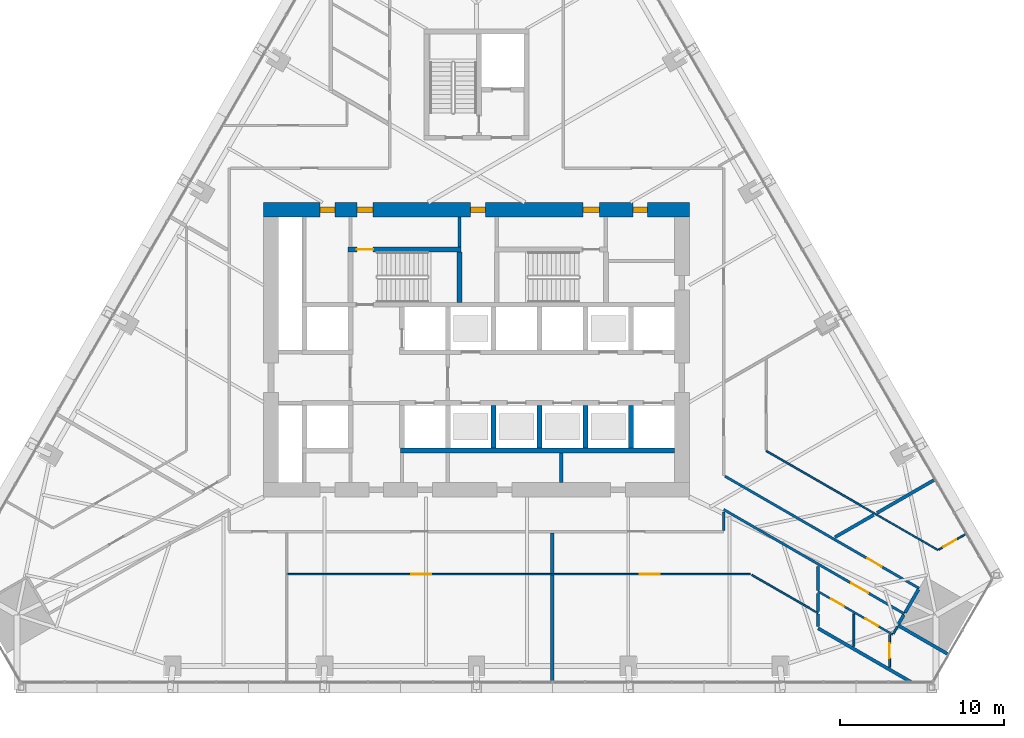
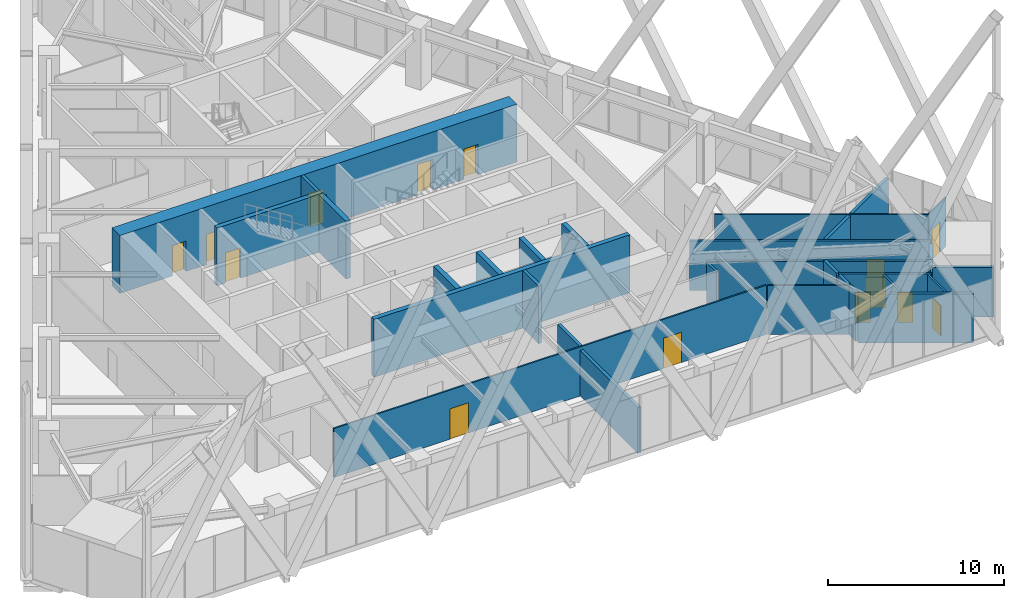
# One storey, part 14 of 19: 32 walls, 14 doors, 14 openings.
"""IFC4 building model written with IfcOpenShell, lengths in metres."""

from ifc_helpers import new_model, si_unit, direction, frame, frame_2d, origin, place, context, subcontext, project, spatial, rectangle, extrude, material, layer, layer_set, type_object, element, fill, save


model = new_model("IFC4")

# Units and contexts
model_context = context("Model", 3, precision=1e-05, world=origin(), true_north=direction((0.0, 1.0)))
body_context = subcontext(model_context, "Body", "Model", "MODEL_VIEW")
ifc_project = project(units=[si_unit("LENGTHUNIT", "METRE"), si_unit("AREAUNIT", "SQUARE_METRE"), si_unit("VOLUMEUNIT", "CUBIC_METRE"), si_unit("PLANEANGLEUNIT", "RADIAN"), si_unit("MASSUNIT", "GRAM", prefix="KILO")], contexts=[model_context])

# Site, building, storey
site_placement = place(None, origin())
site = spatial("IfcSite", under=ifc_project, at=site_placement, CompositionType="ELEMENT")
building_placement = place(site_placement, origin())
building = spatial("IfcBuilding", under=site, at=building_placement, Name="Firuza Gate Tower and Library", CompositionType="ELEMENT")
storey_placement = place(building_placement, frame((0.0, 0.0, 124.0)))
storey = spatial("IfcBuildingStorey", under=building, at=storey_placement, Name="L28", CompositionType="ELEMENT", Elevation=124.0)

# Walls
ifc_material_1 = material(Name="Plasterboard on steel studs", Category="steel")
ifc_layer_1 = layer(ifc_material_1, 0.199951171875)
ifc_layer_set_1 = layer_set([ifc_layer_1], Name="Core partition 200 EI 120")
wall_type_1 = type_object("IfcWallType", Name="Core partition 200 EI 120", PredefinedType="PARTITIONING", material=ifc_layer_set_1)
wall_1_placement = place(storey_placement, frame((80.175048828125, 66.89990234375, 0.0), z_axis=(0.0, 0.0, 1.0), x_axis=(0.0, 1.0, 0.0)))
element("IfcWall", 1, at=wall_1_placement, inside=storey, type_object=wall_type_1, Name="Core partition L28 15", PredefinedType="PARTITIONING", context=body_context, shape_type="SweptSolid", body=[
    extrude(rectangle(XDim=1.800048828125, YDim=0.199951171875, at=frame_2d((0.89990234375, 0.0))), origin(), (0.0, 0.0, 1.0), 4.0),
])
ifc_material_2 = material(Name="Plasterboard on steel studs", Category="steel")
ifc_layer_2 = layer(ifc_material_2, 0.199951171875)
ifc_layer_set_2 = layer_set([ifc_layer_2], Name="Core partition 200 EI 60")
wall_type_2 = type_object("IfcWallType", Name="Core partition 200 EI 60", PredefinedType="PARTITIONING", material=ifc_layer_set_2)
wall_2_placement = place(storey_placement, frame((73.9599609375, 81.280029296875, 0.0), z_axis=(0.0, 0.0, 1.0), x_axis=(0.0, 1.0, 0.0)))
element("IfcWall", 2, at=wall_2_placement, inside=storey, type_object=wall_type_2, Name="Core partition L28 13", PredefinedType="PARTITIONING", context=body_context, shape_type="SweptSolid", body=[
    extrude(rectangle(XDim=1.820068359375, YDim=0.199951171875, at=frame_2d((0.91015625, 0.0))), origin(), (0.0, 0.0, 1.0), 4.0),
])
ifc_material_3 = material(Name="Concrete C80/95", Category="concrete")
ifc_layer_3 = layer(ifc_material_3, 0.300048828125)
ifc_layer_set_3 = layer_set([ifc_layer_3], Name="Core wall 300 C80/95")
wall_type_3 = type_object("IfcWallType", Name="Core wall 300 C80/95", PredefinedType="SHEAR", material=ifc_layer_set_3)
wall_3_placement = place(storey_placement, frame((70.35009765625, 68.85009765625, 0.0), z_axis=(0.0, 0.0, 1.0), x_axis=(1.0, 0.0, 0.0)))
element("IfcWall", 3, at=wall_3_placement, inside=storey, type_object=wall_type_3, Name="Core wall L28 6", PredefinedType="SHEAR", context=body_context, shape_type="SweptSolid", body=[
    extrude(rectangle(XDim=16.75, YDim=0.300048828125, at=frame_2d((8.375, 0.0))), origin(), (0.0, 0.0, 1.0), 4.0),
])
for number, where, z_axis, x_axis, name in (
    (4, (76.050048828125, 69.0, 0.0), (0.0, 0.0, 1.0), (0.0, 1.0, 0.0), "Core wall L28 19"),
    (5, (78.85009765625, 69.0, 0.0), (0.0, 0.0, 1.0), (0.0, 1.0, 0.0), "Core wall L28 21"),
    (6, (81.64990234375, 69.0, 0.0), (0.0, 0.0, 1.0), (0.0, 1.0, 0.0), "Core wall L28 23"),
    (7, (84.449951171875, 69.0, 0.0), (0.0, 0.0, 1.0), (0.0, 1.0, 0.0), "Core wall L28 25"),
):
    element("IfcWall", number, at=place(storey_placement, frame(where, z_axis=z_axis, x_axis=x_axis)), inside=storey, type_object=wall_type_3, Name=name, PredefinedType="SHEAR", context=body_context, shape_type="SweptSolid", body=[
        extrude(rectangle(XDim=2.60009765625, YDim=0.300048828125, at=frame_2d((1.300048828125, 0.0))), origin(), (0.0, 0.0, 1.0), 4.0),
    ])

# Wall, opening, door
wall_4_placement = place(storey_placement, frame((67.14990234375, 81.1298828125, 0.0), z_axis=(0.0, 0.0, 1.0), x_axis=(1.0, 0.0, 0.0)))
wall_4 = element("IfcWall", 8, at=wall_4_placement, inside=storey, type_object=wall_type_3, Name="Core wall L28 28", PredefinedType="SHEAR", context=body_context, shape_type="SweptSolid", body=[
    extrude(rectangle(XDim=6.91015625, YDim=0.300048828125, at=frame_2d((3.455078125, 0.0))), origin(), (0.0, 0.0, 1.0), 4.0),
])
opening_1_placement = place(wall_4_placement, frame((0.544921875, 0.0, 0.0)))
opening_1 = element("IfcOpeningElement", 9, at=opening_1_placement, cuts=wall_4, Name="Opening L28-K13", PredefinedType="OPENING", context=body_context, shape_type="SweptSolid", body=[
    extrude(rectangle(XDim=1.0, YDim=2.10009765625, at=frame_2d((0.5, 1.050048828125))), frame((0.0, 0.16015625, 0.0), z_axis=(0.0, -1.0, 0.0), x_axis=(1.0, 0.0, 0.0)), (0.0, 0.0, 1.0), 0.320068359375),
])
ifc_material_4 = material(Name="Steel", Category="steel")
door_type_1 = type_object("IfcDoorType", Name="Fire door 1000x2100 FD90", OperationType="NOTDEFINED", PredefinedType="DOOR", material=ifc_material_4)
door_1_placement = place(opening_1_placement, origin())
door_1 = element("IfcDoor", 10, at=door_1_placement, inside=storey, type_object=door_type_1, Name="Door L28-K13", OperationType="SINGLE_SWING_RIGHT", OverallHeight=2.10009765625, OverallWidth=1.0, PredefinedType="DOOR", context=body_context, shape_type="SweptSolid", body=[
    extrude(rectangle(XDim=1.0, YDim=2.10009765625, at=frame_2d((0.5, 1.050048828125))), frame((0.0, 0.02490234375, 0.0), z_axis=(0.0, -1.0, 0.0), x_axis=(1.0, 0.0, 0.0)), (0.0, 0.0, 1.0), 0.050048828125),
])
fill(opening_1, door_1)

# Wall
wall_5_placement = place(storey_placement, frame((73.9599609375, 77.89990234375, 0.0), z_axis=(0.0, 0.0, 1.0), x_axis=(0.0, 1.0, 0.0)))
element("IfcWall", 11, at=wall_5_placement, inside=storey, type_object=wall_type_3, Name="Core wall L28 31", PredefinedType="SHEAR", context=body_context, shape_type="SweptSolid", body=[
    extrude(rectangle(XDim=3.080078125, YDim=0.300048828125, at=frame_2d((1.5400390625, 0.0))), origin(), (0.0, 0.0, 1.0), 4.0),
])

# Wall, openings, doors
ifc_material_5 = material(Name="Concrete C80/95", Category="concrete")
ifc_layer_4 = layer(ifc_material_5, 0.89990234375)
ifc_layer_set_4 = layer_set([ifc_layer_4], Name="Core wall 900 C80/95")
wall_type_4 = type_object("IfcWallType", Name="Core wall 900 C80/95", PredefinedType="SHEAR", material=ifc_layer_set_4)
wall_6_placement = place(storey_placement, frame((62.0, 83.550048828125, 0.0), z_axis=(0.0, 0.0, 1.0), x_axis=(1.0, 0.0, 0.0)))
wall_6 = element("IfcWall", 12, at=wall_6_placement, inside=storey, type_object=wall_type_4, Name="Core wall L28 2", PredefinedType="SHEAR", context=body_context, shape_type="SweptSolid", body=[
    extrude(rectangle(XDim=26.0, YDim=0.89990234375, at=frame_2d((13.0, 0.0))), origin(), (0.0, 0.0, 1.0), 4.0),
])
opening_2_placement = place(wall_6_placement, frame((5.695068359375, 0.0, 0.0)))
opening_2 = element("IfcOpeningElement", 13, at=opening_2_placement, cuts=wall_6, Name="Opening L28-K14", PredefinedType="OPENING", context=body_context, shape_type="SweptSolid", body=[
    extrude(rectangle(XDim=1.0, YDim=2.10009765625, at=frame_2d((0.5, 1.050048828125))), frame((0.0, 0.4599609375, 0.0), z_axis=(0.0, -1.0, 0.0), x_axis=(1.0, 0.0, 0.0)), (0.0, 0.0, 1.0), 0.919921875),
])
opening_3_placement = place(wall_6_placement, frame((19.5048828125, 0.0, 0.0)))
opening_3 = element("IfcOpeningElement", 14, at=opening_3_placement, cuts=wall_6, Name="Opening L28-K16", PredefinedType="OPENING", context=body_context, shape_type="SweptSolid", body=[
    extrude(rectangle(XDim=1.0, YDim=2.10009765625, at=frame_2d((0.5, 1.050048828125))), frame((0.0, 0.4599609375, 0.0), z_axis=(0.0, -1.0, 0.0), x_axis=(1.0, 0.0, 0.0)), (0.0, 0.0, 1.0), 0.919921875),
])
opening_4_placement = place(wall_6_placement, frame((3.449951171875, 0.0, 0.0)))
opening_4 = element("IfcOpeningElement", 15, at=opening_4_placement, cuts=wall_6, Name="Opening L28-K29", PredefinedType="OPENING", context=body_context, shape_type="SweptSolid", body=[
    extrude(rectangle(XDim=0.89990234375, YDim=2.10009765625, at=frame_2d((0.449951171875, 1.050048828125))), frame((0.0, 0.4599609375, 0.0), z_axis=(0.0, -1.0, 0.0), x_axis=(1.0, 0.0, 0.0)), (0.0, 0.0, 1.0), 0.919921875),
])
opening_5_placement = place(wall_6_placement, frame((12.64990234375, 0.0, 0.0)))
opening_5 = element("IfcOpeningElement", 16, at=opening_5_placement, cuts=wall_6, Name="Opening L28-K30", PredefinedType="OPENING", context=body_context, shape_type="SweptSolid", body=[
    extrude(rectangle(XDim=0.89990234375, YDim=2.10009765625, at=frame_2d((0.449951171875, 1.050048828125))), frame((0.0, 0.4599609375, 0.0), z_axis=(0.0, -1.0, 0.0), x_axis=(1.0, 0.0, 0.0)), (0.0, 0.0, 1.0), 0.919921875),
])
opening_6_placement = place(wall_6_placement, frame((22.550048828125, 0.0, 0.0)))
opening_6 = element("IfcOpeningElement", 17, at=opening_6_placement, cuts=wall_6, Name="Opening L28-K32", PredefinedType="OPENING", context=body_context, shape_type="SweptSolid", body=[
    extrude(rectangle(XDim=0.89990234375, YDim=2.10009765625, at=frame_2d((0.449951171875, 1.050048828125))), frame((0.0, 0.4599609375, 0.0), z_axis=(0.0, -1.0, 0.0), x_axis=(1.0, 0.0, 0.0)), (0.0, 0.0, 1.0), 0.919921875),
])
door_2_placement = place(opening_2_placement, origin())
door_2 = element("IfcDoor", 18, at=door_2_placement, inside=storey, type_object=door_type_1, Name="Door L28-K14", OperationType="SINGLE_SWING_LEFT", OverallHeight=2.10009765625, OverallWidth=1.0, PredefinedType="DOOR", context=body_context, shape_type="SweptSolid", body=[
    extrude(rectangle(XDim=1.0, YDim=2.10009765625, at=frame_2d((0.5, 1.050048828125))), frame((0.0, 0.169921875, 0.0), z_axis=(0.0, -1.0, 0.0), x_axis=(1.0, 0.0, 0.0)), (0.0, 0.0, 1.0), 0.33984375),
])
fill(opening_2, door_2)
door_3_placement = place(opening_3_placement, origin())
door_3 = element("IfcDoor", 19, at=door_3_placement, inside=storey, type_object=door_type_1, Name="Door L28-K16", OperationType="SINGLE_SWING_LEFT", OverallHeight=2.10009765625, OverallWidth=1.0, PredefinedType="DOOR", context=body_context, shape_type="SweptSolid", body=[
    extrude(rectangle(XDim=1.0, YDim=2.10009765625, at=frame_2d((0.5, 1.050048828125))), frame((0.0, 0.169921875, 0.0), z_axis=(0.0, -1.0, 0.0), x_axis=(1.0, 0.0, 0.0)), (0.0, 0.0, 1.0), 0.33984375),
])
fill(opening_3, door_3)
ifc_material_6 = material(Name="Steel", Category="steel")
door_type_2 = type_object("IfcDoorType", Name="Fire door 900x2100 FD30S", OperationType="NOTDEFINED", PredefinedType="DOOR", material=ifc_material_6)
door_4_placement = place(opening_4_placement, origin())
door_4 = element("IfcDoor", 20, at=door_4_placement, inside=storey, type_object=door_type_2, Name="Door L28-K29", OperationType="SINGLE_SWING_RIGHT", OverallHeight=2.10009765625, OverallWidth=0.89990234375, PredefinedType="DOOR", context=body_context, shape_type="SweptSolid", body=[
    extrude(rectangle(XDim=0.89990234375, YDim=2.10009765625, at=frame_2d((0.449951171875, 1.050048828125))), frame((0.0, 0.169921875, 0.0), z_axis=(0.0, -1.0, 0.0), x_axis=(1.0, 0.0, 0.0)), (0.0, 0.0, 1.0), 0.33984375),
])
fill(opening_4, door_4)
door_5_placement = place(opening_5_placement, origin())
door_5 = element("IfcDoor", 21, at=door_5_placement, inside=storey, type_object=door_type_2, Name="Door L28-K30", OperationType="SINGLE_SWING_LEFT", OverallHeight=2.10009765625, OverallWidth=0.89990234375, PredefinedType="DOOR", context=body_context, shape_type="SweptSolid", body=[
    extrude(rectangle(XDim=0.89990234375, YDim=2.10009765625, at=frame_2d((0.449951171875, 1.050048828125))), frame((0.0, 0.169921875, 0.0), z_axis=(0.0, -1.0, 0.0), x_axis=(1.0, 0.0, 0.0)), (0.0, 0.0, 1.0), 0.33984375),
])
fill(opening_5, door_5)
door_6_placement = place(opening_6_placement, origin())
door_6 = element("IfcDoor", 22, at=door_6_placement, inside=storey, type_object=door_type_2, Name="Door L28-K32", OperationType="SINGLE_SWING_LEFT", OverallHeight=2.10009765625, OverallWidth=0.89990234375, PredefinedType="DOOR", context=body_context, shape_type="SweptSolid", body=[
    extrude(rectangle(XDim=0.89990234375, YDim=2.10009765625, at=frame_2d((0.449951171875, 1.050048828125))), frame((0.0, 0.169921875, 0.0), z_axis=(0.0, -1.0, 0.0), x_axis=(1.0, 0.0, 0.0)), (0.0, 0.0, 1.0), 0.33984375),
])
fill(opening_6, door_6)

# Wall
ifc_material_7 = material(Name="Gypsum board partition")
ifc_layer_5 = layer(ifc_material_7, 0.14990234375)
ifc_layer_set_5 = layer_set([ifc_layer_5], Name="Corridor wall 150 double board on steel studs")
wall_type_5 = type_object("IfcWallType", Name="Corridor wall 150 double board on steel studs", PredefinedType="PARTITIONING", material=ifc_layer_set_5)
wall_7_placement = place(storey_placement, frame((90.10009765625, 63.97509765625, 0.0), z_axis=(0.0, 0.0, 1.0), x_axis=(0.0, 1.0, 0.0)))
element("IfcWall", 23, at=wall_7_placement, inside=storey, type_object=wall_type_5, Name="f:L28:w028", PredefinedType="PARTITIONING", context=body_context, shape_type="SweptSolid", body=[
    extrude(rectangle(XDim=1.131103515625, YDim=0.14990234375, at=frame_2d((0.5654296875, 0.0))), origin(), (0.0, 0.0, 1.0), 3.2470703125),
])

# Wall, opening, door
wall_8_placement = place(storey_placement, frame((90.175048828125, 67.278076171875, 0.0), z_axis=(0.0, 0.0, 1.0), x_axis=(0.866022903348, -0.500004330858, 0.0)))
wall_8 = element("IfcWall", 24, at=wall_8_placement, inside=storey, type_object=wall_type_5, Name="f:L28:w055", PredefinedType="PARTITIONING", context=body_context, shape_type="SweptSolid", body=[
    extrude(rectangle(XDim=13.6953125, YDim=0.14990234375, at=frame_2d((6.84765625, 0.0))), origin(), (0.0, 0.0, 1.0), 3.39990234375),
])
opening_7_placement = place(wall_8_placement, frame((10.049560546875, 0.0, 0.0)))
opening_7 = element("IfcOpeningElement", 25, at=opening_7_placement, cuts=wall_8, Name="Opening L28-27", PredefinedType="OPENING", context=body_context, shape_type="SweptSolid", body=[
    extrude(rectangle(XDim=1.0, YDim=2.10009765625, at=frame_2d((0.5, 1.050048828125))), frame((0.0, 0.0849609375, 0.0), z_axis=(0.0, -1.0, 0.0), x_axis=(1.0, 0.0, 0.0)), (0.0, 0.0, 1.0), 0.169921875),
])
ifc_material_8 = material(Name="Steel door and timber leaf", Category="steel")
door_type_3 = type_object("IfcDoorType", Name="Fire door 1000 x 2100 steel frame, timber leaf", OperationType="NOTDEFINED", PredefinedType="DOOR", material=ifc_material_8)
door_7_placement = place(opening_7_placement, origin())
door_7 = element("IfcDoor", 26, at=door_7_placement, inside=storey, type_object=door_type_3, Name="f:L28:d027", OperationType="SINGLE_SWING_LEFT", OverallHeight=2.10009765625, OverallWidth=1.0, PredefinedType="DOOR", context=body_context, shape_type="SweptSolid", body=[
    extrude(rectangle(XDim=1.0, YDim=2.10009765625, at=frame_2d((0.5, 1.050048828125))), frame((0.0, 0.02490234375, 0.0), z_axis=(0.0, -1.0, 0.0), x_axis=(1.0, 0.0, 0.0)), (0.0, 0.0, 1.0), 0.050048828125),
])
fill(opening_7, door_7)

wall_9_placement = place(storey_placement, frame((101.1357421875, 58.871337890625, 0.0), z_axis=(0.0, 0.0, 1.0), x_axis=(-0.866020317169, 0.500008810174, 0.0)))
wall_9 = element("IfcWall", 27, at=wall_9_placement, inside=storey, type_object=wall_type_5, Name="f:L28:w056", PredefinedType="PARTITIONING", context=body_context, shape_type="SweptSolid", body=[
    extrude(rectangle(XDim=12.742919921875, YDim=0.14990234375, at=frame_2d((6.37158203125, 0.0))), origin(), (0.0, 0.0, 1.0), 3.2470703125),
])
opening_8_placement = place(wall_9_placement, frame((2.5458984375, 0.0, 0.0)))
opening_8 = element("IfcOpeningElement", 28, at=opening_8_placement, cuts=wall_9, Name="Opening L28-28", PredefinedType="OPENING", context=body_context, shape_type="SweptSolid", body=[
    extrude(rectangle(XDim=1.199951171875, YDim=2.10009765625, at=frame_2d((0.60009765625, 1.050048828125))), frame((0.0, 0.0849609375, 0.0), z_axis=(0.0, -1.0, 0.0), x_axis=(1.0, 0.0, 0.0)), (0.0, 0.0, 1.0), 0.169921875),
])
ifc_material_9 = material(Name="Steel door and timber leaf", Category="steel")
door_type_4 = type_object("IfcDoorType", Name="Fire door 1200 x 2100 steel frame, double leaf", OperationType="NOTDEFINED", PredefinedType="DOOR", material=ifc_material_9)
door_8_placement = place(opening_8_placement, origin())
door_8 = element("IfcDoor", 29, at=door_8_placement, inside=storey, type_object=door_type_4, Name="f:L28:d028", OperationType="DOUBLE_DOOR_SINGLE_SWING", OverallHeight=2.10009765625, OverallWidth=1.199951171875, PredefinedType="DOOR", context=body_context, shape_type="SweptSolid", body=[
    extrude(rectangle(XDim=1.199951171875, YDim=2.10009765625, at=frame_2d((0.60009765625, 1.050048828125))), frame((0.0, 0.02490234375, 0.0), z_axis=(0.0, -1.0, 0.0), x_axis=(1.0, 0.0, 0.0)), (0.0, 0.0, 1.0), 0.050048828125),
])
fill(opening_8, door_8)

# Walls
ifc_material_10 = material(Name="Gypsum board partition")
ifc_layer_6 = layer(ifc_material_10, 0.199951171875)
ifc_layer_set_6 = layer_set([ifc_layer_6], Name="Demising wall 200 acoustic double stud")
wall_type_6 = type_object("IfcWallType", Name="Demising wall 200 acoustic double stud", PredefinedType="PARTITIONING", material=ifc_layer_set_6)
wall_10_placement = place(storey_placement, frame((96.8896484375, 63.547607421875, 0.0), z_axis=(0.0, 0.0, 1.0), x_axis=(0.86604168154, 0.499971805041, 0.0)))
element("IfcWall", 30, at=wall_10_placement, inside=storey, type_object=wall_type_6, Name="f:L28:w011", PredefinedType="PARTITIONING", context=body_context, shape_type="SweptSolid", body=[
    extrude(rectangle(XDim=2.740478515625, YDim=0.199951171875, at=frame_2d((1.3701171875, 0.0))), origin(), (0.0, 0.0, 1.0), 3.39990234375),
])
wall_11_placement = place(storey_placement, frame((100.786376953125, 58.26513671875, 0.0), z_axis=(0.0, 0.0, 1.0), x_axis=(0.499880341542, 0.866094477606, 0.0)))
element("IfcWall", 31, at=wall_11_placement, inside=storey, type_object=wall_type_6, Name="f:L28:w023", PredefinedType="PARTITIONING", context=body_context, shape_type="SweptSolid", body=[
    extrude(rectangle(XDim=0.624755859375, YDim=0.199951171875, at=frame_2d((0.3125, 0.0))), origin(), (0.0, 0.0, 1.0), 3.39990234375),
])
wall_12_placement = place(storey_placement, frame((95.863037109375, 58.105224609375, 0.0), z_axis=(0.0, 0.0, 1.0), x_axis=(0.0, 1.0, 0.0)))
element("IfcWall", 32, at=wall_12_placement, inside=storey, type_object=wall_type_6, Name="f:L28:w026", PredefinedType="PARTITIONING", context=body_context, shape_type="SweptSolid", body=[
    extrude(rectangle(XDim=0.76513671875, YDim=0.199951171875, at=frame_2d((0.382568359375, 0.0))), origin(), (0.0, 0.0, 1.0), 3.39990234375),
])
wall_13_placement = place(storey_placement, frame((79.635986328125, 54.722900390625, 0.0), z_axis=(0.0, 0.0, 1.0), x_axis=(0.0, 1.0, 0.0)))
element("IfcWall", 33, at=wall_13_placement, inside=storey, type_object=wall_type_6, Name="f:L28:w031", PredefinedType="PARTITIONING", context=body_context, shape_type="SweptSolid", body=[
    extrude(rectangle(XDim=6.527099609375, YDim=0.199951171875, at=frame_2d((3.263671875, 0.0))), origin(), (0.0, 0.0, 1.0), 3.1650390625),
])
wall_14_placement = place(storey_placement, frame((103.81884765625, 56.3984375, 0.0), z_axis=(0.0, 0.0, 1.0), x_axis=(-0.866004308173, 0.500036536891, 0.0)))
element("IfcWall", 34, at=wall_14_placement, inside=storey, type_object=wall_type_6, Name="f:L28:w057", PredefinedType="PARTITIONING", context=body_context, shape_type="SweptSolid", body=[
    extrude(rectangle(XDim=3.543701171875, YDim=0.199951171875, at=frame_2d((1.77197265625, 0.0))), origin(), (0.0, 0.0, 1.0), 3.39990234375),
])
wall_15_placement = place(storey_placement, frame((101.52099609375, 54.722900390625, 0.0), z_axis=(0.0, 0.0, 1.0), x_axis=(-0.866020061583, 0.50000925285, 0.0)))
element("IfcWall", 35, at=wall_15_placement, inside=storey, type_object=wall_type_6, Name="f:L28:w061", PredefinedType="PARTITIONING", context=body_context, shape_type="SweptSolid", body=[
    extrude(rectangle(XDim=6.53369140625, YDim=0.199951171875, at=frame_2d((3.266845703125, 0.0))), origin(), (0.0, 0.0, 1.0), 3.39990234375),
])
wall_16_placement = place(storey_placement, frame((79.635986328125, 61.35009765625, 0.0), z_axis=(0.0, 0.0, 1.0), x_axis=(0.0, 1.0, 0.0)))
element("IfcWall", 36, at=wall_16_placement, inside=storey, type_object=wall_type_6, Name="f:L28:w064", PredefinedType="PARTITIONING", context=body_context, shape_type="SweptSolid", body=[
    extrude(rectangle(XDim=2.474853515625, YDim=0.199951171875, at=frame_2d((1.2373046875, 0.0))), origin(), (0.0, 0.0, 1.0), 3.39990234375),
])
wall_17_placement = place(storey_placement, frame((99.462890625, 65.033203125, 0.0), z_axis=(0.0, 0.0, 1.0), x_axis=(0.866014978466, 0.500018056747, 0.0)))
element("IfcWall", 37, at=wall_17_placement, inside=storey, type_object=wall_type_6, Name="f:L28:w066", PredefinedType="PARTITIONING", context=body_context, shape_type="SweptSolid", body=[
    extrude(rectangle(XDim=4.074951171875, YDim=0.199951171875, at=frame_2d((2.03759765625, 0.0))), origin(), (0.0, 0.0, 1.0), 3.39990234375),
])
wall_18_placement = place(storey_placement, frame((101.173828125, 58.93603515625, 0.0), z_axis=(0.0, 0.0, 1.0), x_axis=(0.499991515992, 0.866030301974, 0.0)))
element("IfcWall", 38, at=wall_18_placement, inside=storey, type_object=wall_type_6, Name="f:L28:w070", PredefinedType="PARTITIONING", context=body_context, shape_type="SweptSolid", body=[
    extrude(rectangle(XDim=1.6494140625, YDim=0.199951171875, at=frame_2d((0.82470703125, 0.0))), origin(), (0.0, 0.0, 1.0), 3.2470703125),
])
wall_19_placement = place(storey_placement, frame((95.863037109375, 60.29345703125, 0.0), z_axis=(0.0, 0.0, 1.0), x_axis=(0.0, 1.0, 0.0)))
element("IfcWall", 39, at=wall_19_placement, inside=storey, type_object=wall_type_6, Name="f:L28:w071", PredefinedType="PARTITIONING", context=body_context, shape_type="SweptSolid", body=[
    extrude(rectangle(XDim=1.4755859375, YDim=0.199951171875, at=frame_2d((0.73779296875, 0.0))), origin(), (0.0, 0.0, 1.0), 3.39990234375),
])
wall_20_placement = place(storey_placement, frame((95.863037109375, 59.02880859375, 0.0), z_axis=(0.0, 0.0, 1.0), x_axis=(0.0, 1.0, 0.0)))
element("IfcWall", 40, at=wall_20_placement, inside=storey, type_object=wall_type_6, Name="f:L28:w074", PredefinedType="PARTITIONING", context=body_context, shape_type="SweptSolid", body=[
    extrude(rectangle(XDim=1.08544921875, YDim=0.199951171875, at=frame_2d((0.542724609375, 0.0))), origin(), (0.0, 0.0, 1.0), 3.39990234375),
])

# Wall, openings, doors
ifc_material_11 = material(Name="Gypsum board partition")
ifc_layer_7 = layer(ifc_material_11, 0.10009765625)
ifc_layer_set_7 = layer_set([ifc_layer_7], Name="Partition 100 gypsum board on steel studs")
wall_type_7 = type_object("IfcWallType", Name="Partition 100 gypsum board on steel studs", PredefinedType="PARTITIONING", material=ifc_layer_set_7)
wall_21_placement = place(storey_placement, frame((63.40966796875, 61.300048828125, 0.0), z_axis=(0.0, 0.0, 1.0), x_axis=(1.0, 0.0, 0.0)))
wall_21 = element("IfcWall", 41, at=wall_21_placement, inside=storey, type_object=wall_type_7, Name="f:L28:w000", PredefinedType="PARTITIONING", context=body_context, shape_type="SweptSolid", body=[
    extrude(rectangle(XDim=28.3193359375, YDim=0.10009765625, at=frame_2d((14.15966796875, 0.0))), origin(), (0.0, 0.0, 1.0), 3.39990234375),
])
opening_9_placement = place(wall_21_placement, frame((7.61328125, 0.0, 0.0)))
opening_9 = element("IfcOpeningElement", 42, at=opening_9_placement, cuts=wall_21, Name="Opening L28-01", PredefinedType="OPENING", context=body_context, shape_type="SweptSolid", body=[
    extrude(rectangle(XDim=1.199951171875, YDim=2.10009765625, at=frame_2d((0.60009765625, 1.050048828125))), frame((0.0, 0.06005859375, 0.0), z_axis=(0.0, -1.0, 0.0), x_axis=(1.0, 0.0, 0.0)), (0.0, 0.0, 1.0), 0.1201171875),
])
opening_10_placement = place(wall_21_placement, frame((21.572998046875, 0.0, 0.0)))
opening_10 = element("IfcOpeningElement", 43, at=opening_10_placement, cuts=wall_21, Name="Opening L28-02", PredefinedType="OPENING", context=body_context, shape_type="SweptSolid", body=[
    extrude(rectangle(XDim=1.199951171875, YDim=2.10009765625, at=frame_2d((0.60009765625, 1.050048828125))), frame((0.0, 0.06005859375, 0.0), z_axis=(0.0, -1.0, 0.0), x_axis=(1.0, 0.0, 0.0)), (0.0, 0.0, 1.0), 0.1201171875),
])
ifc_material_12 = material(Name="Glazed aluminium door", Category="aluminium")
door_type_5 = type_object("IfcDoorType", Name="Door 1200 x 2100 glazed double leaf", OperationType="NOTDEFINED", PredefinedType="DOOR", material=ifc_material_12)
door_9_placement = place(opening_9_placement, origin())
door_9 = element("IfcDoor", 44, at=door_9_placement, inside=storey, type_object=door_type_5, Name="f:L28:d001", OperationType="DOUBLE_DOOR_SINGLE_SWING", OverallHeight=2.10009765625, OverallWidth=1.199951171875, PredefinedType="DOOR", context=body_context, shape_type="SweptSolid", body=[
    extrude(rectangle(XDim=1.199951171875, YDim=2.10009765625, at=frame_2d((0.60009765625, 1.050048828125))), frame((0.0, 0.02490234375, 0.0), z_axis=(0.0, -1.0, 0.0), x_axis=(1.0, 0.0, 0.0)), (0.0, 0.0, 1.0), 0.050048828125),
])
fill(opening_9, door_9)
door_10_placement = place(opening_10_placement, origin())
door_10 = element("IfcDoor", 45, at=door_10_placement, inside=storey, type_object=door_type_5, Name="f:L28:d002", OperationType="DOUBLE_DOOR_SINGLE_SWING", OverallHeight=2.10009765625, OverallWidth=1.199951171875, PredefinedType="DOOR", context=body_context, shape_type="SweptSolid", body=[
    extrude(rectangle(XDim=1.199951171875, YDim=2.10009765625, at=frame_2d((0.60009765625, 1.050048828125))), frame((0.0, 0.02490234375, 0.0), z_axis=(0.0, -1.0, 0.0), x_axis=(1.0, 0.0, 0.0)), (0.0, 0.0, 1.0), 0.050048828125),
])
fill(opening_10, door_10)

# Wall, opening, door
wall_22_placement = place(storey_placement, frame((104.90283203125, 63.7607421875, 0.0), z_axis=(0.0, 0.0, 1.0), x_axis=(-0.86605048973, -0.49995654735, 0.0)))
wall_22 = element("IfcWall", 46, at=wall_22_placement, inside=storey, type_object=wall_type_7, Name="f:L28:w010", PredefinedType="PARTITIONING", context=body_context, shape_type="SweptSolid", body=[
    extrude(rectangle(XDim=1.926025390625, YDim=0.10009765625, at=frame_2d((0.962890625, 0.0))), origin(), (0.0, 0.0, 1.0), 3.39990234375),
])
opening_11_placement = place(wall_22_placement, frame((0.693115234375, 0.0, 0.0)))
opening_11 = element("IfcOpeningElement", 47, at=opening_11_placement, cuts=wall_22, Name="Opening L28-11", PredefinedType="OPENING", context=body_context, shape_type="SweptSolid", body=[
    extrude(rectangle(XDim=0.89990234375, YDim=2.10009765625, at=frame_2d((0.449951171875, 1.050048828125))), frame((0.0, 0.06005859375, 0.0), z_axis=(0.0, -1.0, 0.0), x_axis=(1.0, 0.0, 0.0)), (0.0, 0.0, 1.0), 0.1201171875),
])
ifc_material_13 = material(Name="Timber door", Category="wood")
door_type_6 = type_object("IfcDoorType", Name="Door 900 x 2100 timber leaf", OperationType="NOTDEFINED", PredefinedType="DOOR", material=ifc_material_13)
door_11_placement = place(opening_11_placement, origin())
door_11 = element("IfcDoor", 48, at=door_11_placement, inside=storey, type_object=door_type_6, Name="f:L28:d011", OperationType="SINGLE_SWING_RIGHT", OverallHeight=2.10009765625, OverallWidth=0.89990234375, PredefinedType="DOOR", context=body_context, shape_type="SweptSolid", body=[
    extrude(rectangle(XDim=0.89990234375, YDim=2.10009765625, at=frame_2d((0.449951171875, 1.050048828125))), frame((0.0, 0.02490234375, 0.0), z_axis=(0.0, -1.0, 0.0), x_axis=(1.0, 0.0, 0.0)), (0.0, 0.0, 1.0), 0.050048828125),
])
fill(opening_11, door_11)

# Walls
wall_23_placement = place(storey_placement, frame((103.184814453125, 62.76904296875, 0.0), z_axis=(0.0, 0.0, 1.0), x_axis=(-0.866024396652, 0.5000017444, 0.0)))
element("IfcWall", 49, at=wall_23_placement, inside=storey, type_object=wall_type_7, Name="f:L28:w054", PredefinedType="PARTITIONING", context=body_context, shape_type="SweptSolid", body=[
    extrude(rectangle(XDim=12.10693359375, YDim=0.10009765625, at=frame_2d((6.053466796875, 0.0))), origin(), (0.0, 0.0, 1.0), 3.39990234375),
])
wall_24_placement = place(storey_placement, frame((95.86279296875, 58.91357421875, 0.0), z_axis=(0.0, 0.0, 1.0), x_axis=(-0.866042039906, 0.499971184285, 0.0)))
element("IfcWall", 50, at=wall_24_placement, inside=storey, type_object=wall_type_7, Name="f:L28:w060", PredefinedType="PARTITIONING", context=body_context, shape_type="SweptSolid", body=[
    extrude(rectangle(XDim=4.673095703125, YDim=0.10009765625, at=frame_2d((2.33642578125, 0.0))), origin(), (0.0, 0.0, 1.0), 3.39990234375),
])
ifc_material_14 = material(Name="Gypsum board partition")
ifc_layer_8 = layer(ifc_material_14, 0.1201171875)
ifc_layer_set_8 = layer_set([ifc_layer_8], Name="Wet-area partition 120 moisture-resistant board")
wall_type_8 = type_object("IfcWallType", Name="Wet-area partition 120 moisture-resistant board", PredefinedType="PARTITIONING", material=ifc_layer_set_8)
wall_25_placement = place(storey_placement, frame((100.4580078125, 57.658203125, 0.0), z_axis=(0.0, 0.0, 1.0), x_axis=(0.499895202697, 0.866085900082, 0.0)))
element("IfcWall", 51, at=wall_25_placement, inside=storey, type_object=wall_type_8, Name="f:L28:w022", PredefinedType="PARTITIONING", context=body_context, shape_type="SweptSolid", body=[
    extrude(rectangle(XDim=0.4892578125, YDim=0.1201171875, at=frame_2d((0.24462890625, 0.0))), origin(), (0.0, 0.0, 1.0), 3.39990234375),
])

# Wall, opening, door
wall_26_placement = place(storey_placement, frame((100.23095703125, 55.623291015625, 0.0), z_axis=(0.0, 0.0, 1.0), x_axis=(0.0, 1.0, 0.0)))
wall_26 = element("IfcWall", 52, at=wall_26_placement, inside=storey, type_object=wall_type_8, Name="f:L28:w024", PredefinedType="PARTITIONING", context=body_context, shape_type="SweptSolid", body=[
    extrude(rectangle(XDim=1.98681640625, YDim=0.1201171875, at=frame_2d((0.993408203125, 0.0))), origin(), (0.0, 0.0, 1.0), 3.39990234375),
])
opening_12_placement = place(wall_26_placement, frame((0.54345703125, 0.0, 0.0)))
opening_12 = element("IfcOpeningElement", 53, at=opening_12_placement, cuts=wall_26, Name="Opening L28-16", PredefinedType="OPENING", context=body_context, shape_type="SweptSolid", body=[
    extrude(rectangle(XDim=0.89990234375, YDim=2.10009765625, at=frame_2d((0.449951171875, 1.050048828125))), frame((0.0, 0.070068359375, 0.0), z_axis=(0.0, -1.0, 0.0), x_axis=(1.0, 0.0, 0.0)), (0.0, 0.0, 1.0), 0.14013671875),
])
door_12_placement = place(opening_12_placement, origin())
door_12 = element("IfcDoor", 54, at=door_12_placement, inside=storey, type_object=door_type_6, Name="f:L28:d016", OperationType="SINGLE_SWING_LEFT", OverallHeight=2.10009765625, OverallWidth=0.89990234375, PredefinedType="DOOR", context=body_context, shape_type="SweptSolid", body=[
    extrude(rectangle(XDim=0.89990234375, YDim=2.10009765625, at=frame_2d((0.449951171875, 1.050048828125))), frame((0.0, 0.02490234375, 0.0), z_axis=(0.0, -1.0, 0.0), x_axis=(1.0, 0.0, 0.0)), (0.0, 0.0, 1.0), 0.050048828125),
])
fill(opening_12, door_12)

# Wall
wall_27_placement = place(storey_placement, frame((98.047119140625, 56.88427734375, 0.0), z_axis=(0.0, 0.0, 1.0), x_axis=(0.0, 1.0, 0.0)))
element("IfcWall", 55, at=wall_27_placement, inside=storey, type_object=wall_type_8, Name="f:L28:w025", PredefinedType="PARTITIONING", context=body_context, shape_type="SweptSolid", body=[
    extrude(rectangle(XDim=1.98681640625, YDim=0.1201171875, at=frame_2d((0.993408203125, 0.0))), origin(), (0.0, 0.0, 1.0), 3.39990234375),
])

# Wall, openings, doors
wall_28_placement = place(storey_placement, frame((95.86279296875, 60.241455078125, 0.0), z_axis=(0.0, 0.0, 1.0), x_axis=(0.866028224559, -0.499995114243, 0.0)))
wall_28 = element("IfcWall", 56, at=wall_28_placement, inside=storey, type_object=wall_type_8, Name="f:L28:w059", PredefinedType="PARTITIONING", context=body_context, shape_type="SweptSolid", body=[
    extrude(rectangle(XDim=5.2705078125, YDim=0.1201171875, at=frame_2d((2.63525390625, 0.0))), origin(), (0.0, 0.0, 1.0), 3.39990234375),
])
opening_13_placement = place(wall_28_placement, frame((0.912841796875, 0.0, 0.0)))
opening_13 = element("IfcOpeningElement", 57, at=opening_13_placement, cuts=wall_28, Name="Opening L28-29", PredefinedType="OPENING", context=body_context, shape_type="SweptSolid", body=[
    extrude(rectangle(XDim=0.89990234375, YDim=2.10009765625, at=frame_2d((0.449951171875, 1.050048828125))), frame((0.0, 0.070068359375, 0.0), z_axis=(0.0, -1.0, 0.0), x_axis=(1.0, 0.0, 0.0)), (0.0, 0.0, 1.0), 0.14013671875),
])
opening_14_placement = place(wall_28_placement, frame((3.333251953125, 0.0, 0.0)))
opening_14 = element("IfcOpeningElement", 58, at=opening_14_placement, cuts=wall_28, Name="Opening L28-30", PredefinedType="OPENING", context=body_context, shape_type="SweptSolid", body=[
    extrude(rectangle(XDim=0.89990234375, YDim=2.10009765625, at=frame_2d((0.449951171875, 1.050048828125))), frame((0.0, 0.070068359375, 0.0), z_axis=(0.0, -1.0, 0.0), x_axis=(1.0, 0.0, 0.0)), (0.0, 0.0, 1.0), 0.14013671875),
])
door_13_placement = place(opening_13_placement, origin())
door_13 = element("IfcDoor", 59, at=door_13_placement, inside=storey, type_object=door_type_6, Name="f:L28:d029", OperationType="SINGLE_SWING_RIGHT", OverallHeight=2.10009765625, OverallWidth=0.89990234375, PredefinedType="DOOR", context=body_context, shape_type="SweptSolid", body=[
    extrude(rectangle(XDim=0.89990234375, YDim=2.10009765625, at=frame_2d((0.449951171875, 1.050048828125))), frame((0.0, 0.02490234375, 0.0), z_axis=(0.0, -1.0, 0.0), x_axis=(1.0, 0.0, 0.0)), (0.0, 0.0, 1.0), 0.050048828125),
])
fill(opening_13, door_13)
door_14_placement = place(opening_14_placement, origin())
door_14 = element("IfcDoor", 60, at=door_14_placement, inside=storey, type_object=door_type_6, Name="f:L28:d030", OperationType="SINGLE_SWING_LEFT", OverallHeight=2.10009765625, OverallWidth=0.89990234375, PredefinedType="DOOR", context=body_context, shape_type="SweptSolid", body=[
    extrude(rectangle(XDim=0.89990234375, YDim=2.10009765625, at=frame_2d((0.449951171875, 1.050048828125))), frame((0.0, 0.02490234375, 0.0), z_axis=(0.0, -1.0, 0.0), x_axis=(1.0, 0.0, 0.0)), (0.0, 0.0, 1.0), 0.050048828125),
])
fill(opening_14, door_14)

save(model, "model.ifc")
